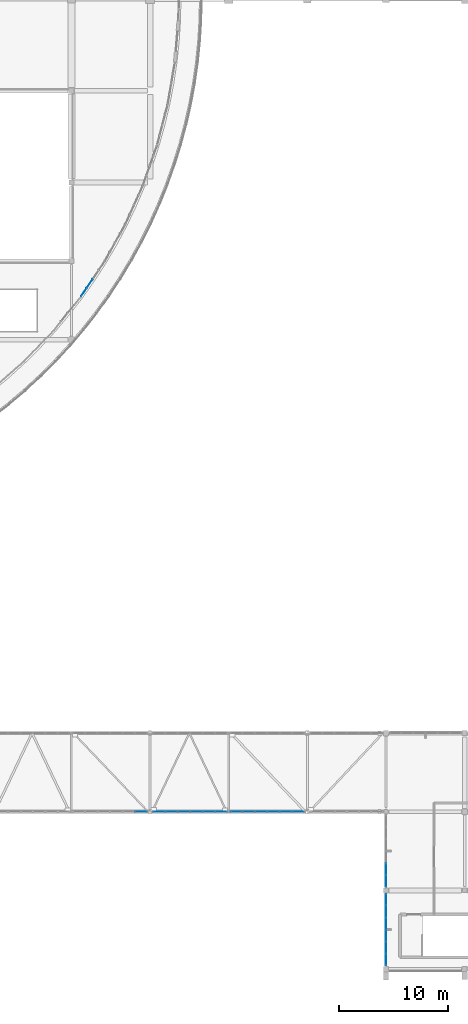
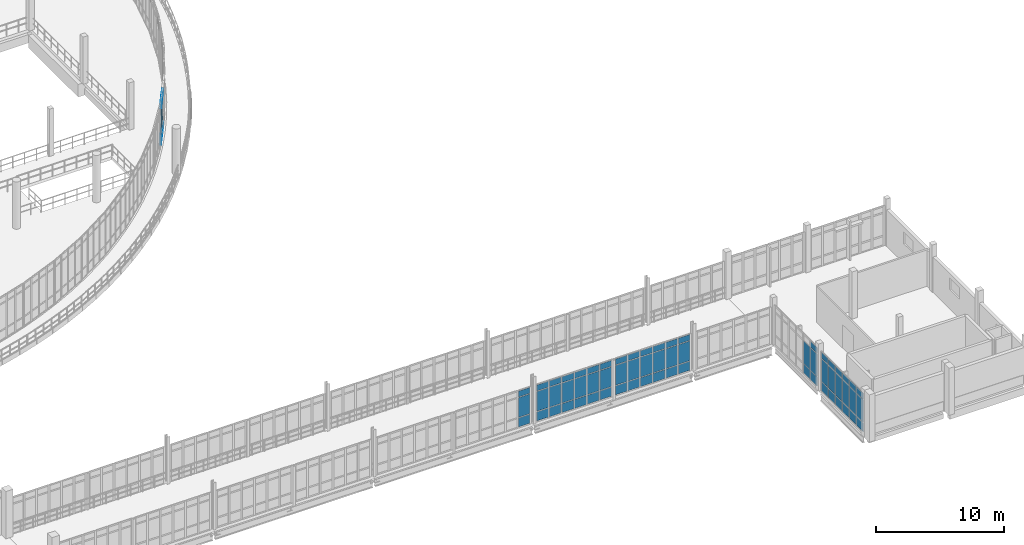
# One storey, part 90 of 116: 68 plates, 6 elements without a shape of their own.
"""IFC4 building model written with IfcOpenShell, lengths in metres."""

import ifcopenshell
import ifcopenshell.guid

model = None  # the IFC model being written
_history = None  # IfcOwnerHistory: only IFC2X3 demands one
_inside = {}  # id of a spatial element -> (the spatial element, [elements in it])
_under = {}  # id of a project, library or spatial element -> (it, [spatial elements below it])
_declared = {}  # id of a project -> (the project, [libraries it declares])
_typed = {}  # id of a type object -> (the type object, [elements of that type])
_made_of = {}  # id of a material, layer set ... -> (it, [elements and type objects made of it])


def new_model(schema):
    """Start an empty IFC model of exactly this schema.

    Asked for "IFC4X3", IfcOpenShell would pick the latest addendum, in which some entities
    have other attributes; the version numbers below select the first issue.
    IFC2X3 requires an IfcOwnerHistory on every rooted entity: one is made here for all.
    """
    global model, _history
    if schema == "IFC4X3":
        model = ifcopenshell.file(schema_version=(4, 3, 0, 0))
    else:
        model = ifcopenshell.file(schema=schema)
    _inside.clear()
    _under.clear()
    _declared.clear()
    _typed.clear()
    _made_of.clear()
    _history = None
    if model.schema == "IFC2X3":
        org = make("IfcOrganization", Name="unknown")
        user = make(
            "IfcPersonAndOrganization",
            ThePerson=make("IfcPerson", FamilyName="unknown"),
            TheOrganization=org,
        )
        app = make(
            "IfcApplication",
            ApplicationDeveloper=org,
            Version="unknown",
            ApplicationFullName="unknown",
            ApplicationIdentifier="unknown",
        )
        _history = make(
            "IfcOwnerHistory",
            OwningUser=user,
            OwningApplication=app,
            ChangeAction="ADDED",
            CreationDate=0,
        )
    return model


def make(cls, **values):
    """One entity of the class cls with the attributes given. An attribute that is None is left unset."""
    return model.create_entity(
        cls, **{name: value for name, value in values.items() if value is not None}
    )


def rooted(cls, **values):
    """An entity with a GlobalId (a new one), such as an element, a storey or a relation."""
    return make(cls, GlobalId=ifcopenshell.guid.new(), OwnerHistory=_history, **values)


def si_unit(unit_type, name, prefix=None):
    """IfcSIUnit, for example si_unit("LENGTHUNIT", "METRE", prefix="MILLI")."""
    return make("IfcSIUnit", UnitType=unit_type, Prefix=prefix, Name=name)


def assignment(units):
    """IfcUnitAssignment: the units of a project."""
    return None if units is None else make("IfcUnitAssignment", Units=units)


def point(xyz):
    """IfcCartesianPoint."""
    return None if xyz is None else make("IfcCartesianPoint", Coordinates=xyz)


def direction(xyz):
    """IfcDirection."""
    return None if xyz is None else make("IfcDirection", DirectionRatios=xyz)


def frame(location, z_axis=None, x_axis=None):
    """IfcAxis2Placement3D, a coordinate frame: its origin and axes. An axis left out is left unset."""
    return make(
        "IfcAxis2Placement3D",
        Location=point(location),
        Axis=direction(z_axis),
        RefDirection=direction(x_axis),
    )


def frame_2d(location, x_axis=None):
    """IfcAxis2Placement2D, a coordinate frame in the plane: its origin and x axis."""
    return make(
        "IfcAxis2Placement2D", Location=point(location), RefDirection=direction(x_axis)
    )


def origin():
    """The frame at (0, 0, 0) with its axes left unset."""
    return frame((0.0, 0.0, 0.0))


def origin_2d():
    """The frame at (0, 0) in the plane with its x axis left unset."""
    return frame_2d((0.0, 0.0))


def place(relative_to, where):
    """IfcLocalPlacement: puts the frame where relative to a parent placement (None: the world)."""
    return make(
        "IfcLocalPlacement", PlacementRelTo=relative_to, RelativePlacement=where
    )


def context(
    kind, dimensions, precision=None, world=None, true_north=None, identifier=None
):
    """IfcGeometricRepresentationContext, for example the 3D "Model" context."""
    return make(
        "IfcGeometricRepresentationContext",
        ContextIdentifier=identifier,
        ContextType=kind,
        CoordinateSpaceDimension=dimensions,
        Precision=precision,
        WorldCoordinateSystem=world,
        TrueNorth=true_north,
    )


def subcontext(parent, identifier, kind, view, scale=None):
    """IfcGeometricRepresentationSubContext, for example "Body" below "Model"."""
    return make(
        "IfcGeometricRepresentationSubContext",
        ContextIdentifier=identifier,
        ContextType=kind,
        ParentContext=parent,
        TargetScale=scale,
        TargetView=view,
    )


def project(units=None, contexts=None):
    """IfcProject with its units and contexts."""
    return rooted(
        "IfcProject",
        Name="project",
        RepresentationContexts=contexts,
        UnitsInContext=assignment(units),
    )


def spatial(cls, under=None, at=None, **own):
    """A site, building, storey or space (cls), placed at a placement, below another one or the project."""
    s = rooted(cls, ObjectPlacement=at, **own)
    if under is not None:
        _under.setdefault(under.id(), (under, []))[1].append(s)
    return s


def profile(cls, at=None, kind="AREA", **sizes):
    """A parametric profile (cls). Its sizes go by their IFC names, for example OverallWidth=200.0."""
    return make(cls, ProfileType=kind, Position=at, **sizes)


def rectangle(**sizes):
    """IfcRectangleProfileDef."""
    return profile("IfcRectangleProfileDef", **sizes)


def extrude(swept, where, along, depth):
    """IfcExtrudedAreaSolid: the profile swept, set in the frame where, extruded along a direction by depth."""
    return make(
        "IfcExtrudedAreaSolid",
        SweptArea=swept,
        Position=where,
        ExtrudedDirection=direction(along),
        Depth=depth,
    )


def shape(context_of_items, identifier, shape_type, items):
    """IfcShapeRepresentation: the items that make up one representation, for example the "Body"."""
    return make(
        "IfcShapeRepresentation",
        ContextOfItems=context_of_items,
        RepresentationIdentifier=identifier,
        RepresentationType=shape_type,
        Items=items,
    )


def material(Name=None, Category=None):
    """IfcMaterial."""
    return make("IfcMaterial", Name=Name, Category=Category)


def layer(
    of_material, thickness, ventilated=None, Name=None, Category=None, Priority=None
):
    """IfcMaterialLayer: one layer of a wall or slab, of a material (None: an air gap)."""
    return make(
        "IfcMaterialLayer",
        Material=of_material,
        LayerThickness=thickness,
        IsVentilated=ventilated,
        Name=Name,
        Category=Category,
        Priority=Priority,
    )


def layer_set(layers, Name=None):
    """IfcMaterialLayerSet."""
    return make("IfcMaterialLayerSet", MaterialLayers=layers, LayerSetName=Name)


def made_of(thing, what):
    """Note that an element or type object is made of a material, layer set ...; save() writes the relation."""
    if what is not None:
        _made_of.setdefault(what.id(), (what, []))[1].append(thing)
    return thing


def type_object(cls, material=None, **own):
    """A type object (cls), such as IfcWallType, which elements share."""
    return made_of(rooted(cls, **own), material)


def element(
    cls,
    number,
    at=None,
    inside=None,
    cuts=None,
    type_object=None,
    material=None,
    context=None,
    identifier="Body",
    shape_type=None,
    held_by="IfcProductDefinitionShape",
    body=None,
    shapes=None,
    **own,
):
    """One element of the class cls, such as IfcWall. Its Tag is "e" and its number.

    at: its placement. inside: the storey or other place that contains it. cuts: it is an
    opening in that element (IfcRelVoidsElement). A single representation is given by context,
    identifier, shape_type and body (its items); several are given by shapes. held_by: the class
    of the entity that holds the representations. save() writes the other relations.
    """
    e = rooted(cls, Tag="e%d" % number, ObjectPlacement=at, **own)
    if body is not None:
        shapes = [shape(context, identifier, shape_type, body)]
    if shapes is not None:
        e.Representation = make(held_by, Representations=shapes)
    if inside is not None:
        _inside.setdefault(inside.id(), (inside, []))[1].append(e)
    if cuts is not None:
        rooted(
            "IfcRelVoidsElement", RelatingBuildingElement=cuts, RelatedOpeningElement=e
        )
    if type_object is not None:
        _typed.setdefault(type_object.id(), (type_object, []))[1].append(e)
    return made_of(e, material)


def aggregate(whole, parts):
    """IfcRelAggregates: a whole, such as a stair, and the parts it consists of."""
    return rooted("IfcRelAggregates", RelatingObject=whole, RelatedObjects=parts)


def save(model, path):
    """Write the relations noted so far, then the file.

    IfcRelAggregates (storeys below a building ...), IfcRelContainedInSpatialStructure (elements
    in a storey), IfcRelDefinesByType, IfcRelAssociatesMaterial and IfcRelDeclares: one each for
    every whole, place, type object, material and project.
    """
    for whole, parts in _under.values():
        aggregate(whole, parts)
    for where, things in _inside.values():
        rooted(
            "IfcRelContainedInSpatialStructure",
            RelatedElements=things,
            RelatingStructure=where,
        )
    for kind, things in _typed.values():
        rooted("IfcRelDefinesByType", RelatedObjects=things, RelatingType=kind)
    for what, things in _made_of.values():
        rooted("IfcRelAssociatesMaterial", RelatedObjects=things, RelatingMaterial=what)
    for by, libraries in _declared.values():
        rooted("IfcRelDeclares", RelatingContext=by, RelatedDefinitions=libraries)
    model.write(path)


model = new_model("IFC4")

# Units and contexts
model_context = context("Model", 3, precision=1e-05, world=origin(), true_north=direction((0.0, 1.0)))
body_context = subcontext(model_context, "Body", "Model", "MODEL_VIEW")
ifc_project = project(units=[si_unit("LENGTHUNIT", "METRE"), si_unit("AREAUNIT", "SQUARE_METRE"), si_unit("VOLUMEUNIT", "CUBIC_METRE"), si_unit("PLANEANGLEUNIT", "RADIAN"), si_unit("MASSUNIT", "GRAM", prefix="KILO")], contexts=[model_context])

# Site, building, storey
site_placement = place(None, origin())
site = spatial("IfcSite", under=ifc_project, at=site_placement, CompositionType="ELEMENT")
building_placement = place(site_placement, origin())
building = spatial("IfcBuilding", under=site, at=building_placement, Name="Kalluvel Institute of Natural Sciences", CompositionType="ELEMENT")
storey_placement = place(building_placement, frame((0.0, 0.0, 14.39990234375)))
storey = spatial("IfcBuildingStorey", under=building, at=storey_placement, Name="L03", CompositionType="ELEMENT", Elevation=14.39990234375)

# Curtain wall, plates
ifc_material_1 = material(Name="Aluminium AW-6063 T6", Category="aluminium")
curtain_wall_type_1 = type_object("IfcCurtainWallType", Name="CW-SPAV-45", PredefinedType="USERDEFINED", material=ifc_material_1)
curtain_wall_1_placement = place(storey_placement, origin())
curtain_wall_1 = element("IfcCurtainWall", 1, at=curtain_wall_1_placement, inside=storey, type_object=curtain_wall_type_1, Name="L03 Gothic lancet curtain wall CWA-L03-X1004-Y143", ObjectType="UNITISED LANCET FACADE", PredefinedType="USERDEFINED")
ifc_material_2 = material(Name="Solar-Control Low-E Laminated Glass", Category="glass")
ifc_layer_1 = layer(ifc_material_2, 0.028076171875)
ifc_layer_set_1 = layer_set([ifc_layer_1], Name="Solar-Control Low-E Laminated Glass")
plate_type_1 = type_object("IfcPlateType", Name="CWP-DGU-28", PredefinedType="CURTAIN_PANEL", material=ifc_layer_set_1)
plate_1_placement = place(storey_placement, frame((100.39990234375, 14.868408203125, 0.065185546875), z_axis=(0.0, 0.0, 1.0), x_axis=(0.0, 1.0, 0.0)))
plate_1 = element("IfcPlate", 2, at=plate_1_placement, type_object=plate_type_1, Name="CW-10 panel 1.1", PredefinedType="CURTAIN_PANEL", context=body_context, shape_type="SweptSolid", body=[
    extrude(rectangle(XDim=1.006591796875, YDim=0.028076171875, at=origin_2d()), origin(), (0.0, 0.0, 1.0), 0.8525390625),
])
plate_2_placement = place(storey_placement, frame((100.39990234375, 14.868408203125, 0.982421875), z_axis=(0.0, 0.0, 1.0), x_axis=(0.0, 1.0, 0.0)))
plate_2 = element("IfcPlate", 3, at=plate_2_placement, type_object=plate_type_1, Name="CW-10 panel 1.2", PredefinedType="CURTAIN_PANEL", context=body_context, shape_type="SweptSolid", body=[
    extrude(rectangle(XDim=1.006591796875, YDim=0.028076171875, at=origin_2d()), origin(), (0.0, 0.0, 1.0), 2.135009765625),
])
plate_3_placement = place(storey_placement, frame((100.39990234375, 14.868408203125, 3.1826171875), z_axis=(0.0, 0.0, 1.0), x_axis=(0.0, 1.0, 0.0)))
plate_3 = element("IfcPlate", 4, at=plate_3_placement, type_object=plate_type_1, Name="CW-10 panel 1.3", PredefinedType="CURTAIN_PANEL", context=body_context, shape_type="SweptSolid", body=[
    extrude(rectangle(XDim=1.006591796875, YDim=0.028076171875, at=origin_2d()), origin(), (0.0, 0.0, 1.0), 0.552490234375),
])
plate_4_placement = place(storey_placement, frame((100.39990234375, 15.956298828125, 0.065185546875), z_axis=(0.0, 0.0, 1.0), x_axis=(0.0, 1.0, 0.0)))
plate_4 = element("IfcPlate", 5, at=plate_4_placement, type_object=plate_type_1, Name="CW-10 panel 2.1", PredefinedType="CURTAIN_PANEL", context=body_context, shape_type="SweptSolid", body=[
    extrude(rectangle(XDim=1.0390625, YDim=0.028076171875, at=origin_2d()), origin(), (0.0, 0.0, 1.0), 0.8525390625),
])
plate_5_placement = place(storey_placement, frame((100.39990234375, 15.956298828125, 0.982421875), z_axis=(0.0, 0.0, 1.0), x_axis=(0.0, 1.0, 0.0)))
plate_5 = element("IfcPlate", 6, at=plate_5_placement, type_object=plate_type_1, Name="CW-10 panel 2.2", PredefinedType="CURTAIN_PANEL", context=body_context, shape_type="SweptSolid", body=[
    extrude(rectangle(XDim=1.0390625, YDim=0.028076171875, at=origin_2d()), origin(), (0.0, 0.0, 1.0), 2.135009765625),
])
plate_6_placement = place(storey_placement, frame((100.39990234375, 15.956298828125, 3.1826171875), z_axis=(0.0, 0.0, 1.0), x_axis=(0.0, 1.0, 0.0)))
plate_6 = element("IfcPlate", 7, at=plate_6_placement, type_object=plate_type_1, Name="CW-10 panel 2.3", PredefinedType="CURTAIN_PANEL", context=body_context, shape_type="SweptSolid", body=[
    extrude(rectangle(XDim=1.0390625, YDim=0.028076171875, at=origin_2d()), origin(), (0.0, 0.0, 1.0), 0.552490234375),
])
plate_7_placement = place(storey_placement, frame((100.39990234375, 17.060302734375, 0.065185546875), z_axis=(0.0, 0.0, 1.0), x_axis=(0.0, 1.0, 0.0)))
plate_7 = element("IfcPlate", 8, at=plate_7_placement, type_object=plate_type_1, Name="CW-10 panel 3.1", PredefinedType="CURTAIN_PANEL", context=body_context, shape_type="SweptSolid", body=[
    extrude(rectangle(XDim=1.0390625, YDim=0.028076171875, at=origin_2d()), origin(), (0.0, 0.0, 1.0), 0.8525390625),
])
plate_8_placement = place(storey_placement, frame((100.39990234375, 17.060302734375, 0.982421875), z_axis=(0.0, 0.0, 1.0), x_axis=(0.0, 1.0, 0.0)))
plate_8 = element("IfcPlate", 9, at=plate_8_placement, type_object=plate_type_1, Name="CW-10 panel 3.2", PredefinedType="CURTAIN_PANEL", context=body_context, shape_type="SweptSolid", body=[
    extrude(rectangle(XDim=1.0390625, YDim=0.028076171875, at=origin_2d()), origin(), (0.0, 0.0, 1.0), 2.135009765625),
])
plate_9_placement = place(storey_placement, frame((100.39990234375, 17.060302734375, 3.1826171875), z_axis=(0.0, 0.0, 1.0), x_axis=(0.0, 1.0, 0.0)))
plate_9 = element("IfcPlate", 10, at=plate_9_placement, type_object=plate_type_1, Name="CW-10 panel 3.3", PredefinedType="CURTAIN_PANEL", context=body_context, shape_type="SweptSolid", body=[
    extrude(rectangle(XDim=1.0390625, YDim=0.028076171875, at=origin_2d()), origin(), (0.0, 0.0, 1.0), 0.552490234375),
])
plate_10_placement = place(storey_placement, frame((100.39990234375, 18.16455078125, 0.065185546875), z_axis=(0.0, 0.0, 1.0), x_axis=(0.0, 1.0, 0.0)))
plate_10 = element("IfcPlate", 11, at=plate_10_placement, type_object=plate_type_1, Name="CW-10 panel 4.1", PredefinedType="CURTAIN_PANEL", context=body_context, shape_type="SweptSolid", body=[
    extrude(rectangle(XDim=1.0390625, YDim=0.028076171875, at=origin_2d()), origin(), (0.0, 0.0, 1.0), 0.8525390625),
])
plate_11_placement = place(storey_placement, frame((100.39990234375, 18.16455078125, 0.982421875), z_axis=(0.0, 0.0, 1.0), x_axis=(0.0, 1.0, 0.0)))
plate_11 = element("IfcPlate", 12, at=plate_11_placement, type_object=plate_type_1, Name="CW-10 panel 4.2", PredefinedType="CURTAIN_PANEL", context=body_context, shape_type="SweptSolid", body=[
    extrude(rectangle(XDim=1.0390625, YDim=0.028076171875, at=origin_2d()), origin(), (0.0, 0.0, 1.0), 2.135009765625),
])
plate_12_placement = place(storey_placement, frame((100.39990234375, 18.16455078125, 3.1826171875), z_axis=(0.0, 0.0, 1.0), x_axis=(0.0, 1.0, 0.0)))
plate_12 = element("IfcPlate", 13, at=plate_12_placement, type_object=plate_type_1, Name="CW-10 panel 4.3", PredefinedType="CURTAIN_PANEL", context=body_context, shape_type="SweptSolid", body=[
    extrude(rectangle(XDim=1.0390625, YDim=0.028076171875, at=origin_2d()), origin(), (0.0, 0.0, 1.0), 0.552490234375),
])
plate_13_placement = place(storey_placement, frame((100.39990234375, 19.268798828125, 0.065185546875), z_axis=(0.0, 0.0, 1.0), x_axis=(0.0, 1.0, 0.0)))
plate_13 = element("IfcPlate", 14, at=plate_13_placement, type_object=plate_type_1, Name="CW-10 panel 5.1", PredefinedType="CURTAIN_PANEL", context=body_context, shape_type="SweptSolid", body=[
    extrude(rectangle(XDim=1.0390625, YDim=0.028076171875, at=origin_2d()), origin(), (0.0, 0.0, 1.0), 0.8525390625),
])
plate_14_placement = place(storey_placement, frame((100.39990234375, 19.268798828125, 0.982421875), z_axis=(0.0, 0.0, 1.0), x_axis=(0.0, 1.0, 0.0)))
plate_14 = element("IfcPlate", 15, at=plate_14_placement, type_object=plate_type_1, Name="CW-10 panel 5.2", PredefinedType="CURTAIN_PANEL", context=body_context, shape_type="SweptSolid", body=[
    extrude(rectangle(XDim=1.0390625, YDim=0.028076171875, at=origin_2d()), origin(), (0.0, 0.0, 1.0), 2.135009765625),
])
plate_15_placement = place(storey_placement, frame((100.39990234375, 19.268798828125, 3.1826171875), z_axis=(0.0, 0.0, 1.0), x_axis=(0.0, 1.0, 0.0)))
plate_15 = element("IfcPlate", 16, at=plate_15_placement, type_object=plate_type_1, Name="CW-10 panel 5.3", PredefinedType="CURTAIN_PANEL", context=body_context, shape_type="SweptSolid", body=[
    extrude(rectangle(XDim=1.0390625, YDim=0.028076171875, at=origin_2d()), origin(), (0.0, 0.0, 1.0), 0.552490234375),
])
plate_16_placement = place(storey_placement, frame((100.39990234375, 20.356689453125, 0.065185546875), z_axis=(0.0, 0.0, 1.0), x_axis=(0.0, 1.0, 0.0)))
plate_16 = element("IfcPlate", 17, at=plate_16_placement, type_object=plate_type_1, Name="CW-10 panel 6.1", PredefinedType="CURTAIN_PANEL", context=body_context, shape_type="SweptSolid", body=[
    extrude(rectangle(XDim=1.006591796875, YDim=0.028076171875, at=origin_2d()), origin(), (0.0, 0.0, 1.0), 0.8525390625),
])
plate_17_placement = place(storey_placement, frame((100.39990234375, 20.356689453125, 0.982421875), z_axis=(0.0, 0.0, 1.0), x_axis=(0.0, 1.0, 0.0)))
plate_17 = element("IfcPlate", 18, at=plate_17_placement, type_object=plate_type_1, Name="CW-10 panel 6.2", PredefinedType="CURTAIN_PANEL", context=body_context, shape_type="SweptSolid", body=[
    extrude(rectangle(XDim=1.006591796875, YDim=0.028076171875, at=origin_2d()), origin(), (0.0, 0.0, 1.0), 2.135009765625),
])
plate_18_placement = place(storey_placement, frame((100.39990234375, 20.356689453125, 3.1826171875), z_axis=(0.0, 0.0, 1.0), x_axis=(0.0, 1.0, 0.0)))
plate_18 = element("IfcPlate", 19, at=plate_18_placement, type_object=plate_type_1, Name="CW-10 panel 6.3", PredefinedType="CURTAIN_PANEL", context=body_context, shape_type="SweptSolid", body=[
    extrude(rectangle(XDim=1.006591796875, YDim=0.028076171875, at=origin_2d()), origin(), (0.0, 0.0, 1.0), 0.552490234375),
])
aggregate(curtain_wall_1, [plate_1, plate_2, plate_3, plate_4, plate_5, plate_6, plate_7, plate_8, plate_9, plate_10, plate_11, plate_12, plate_13, plate_14, plate_15, plate_16, plate_17, plate_18])

curtain_wall_2_placement = place(storey_placement, origin())
curtain_wall_2 = element("IfcCurtainWall", 20, at=curtain_wall_2_placement, inside=storey, type_object=curtain_wall_type_1, Name="L03 Gothic lancet curtain wall CWA-L03-X1004-Y215", ObjectType="UNITISED LANCET FACADE", PredefinedType="USERDEFINED")
plate_19_placement = place(storey_placement, frame((100.39990234375, 22.047607421875, 0.065185546875), z_axis=(0.0, 0.0, 1.0), x_axis=(0.0, 1.0, 0.0)))
plate_19 = element("IfcPlate", 21, at=plate_19_placement, type_object=plate_type_1, Name="CW-10 panel 1.1", PredefinedType="CURTAIN_PANEL", context=body_context, shape_type="SweptSolid", body=[
    extrude(rectangle(XDim=1.014892578125, YDim=0.028076171875, at=origin_2d()), origin(), (0.0, 0.0, 1.0), 0.8525390625),
])
plate_20_placement = place(storey_placement, frame((100.39990234375, 22.047607421875, 0.982421875), z_axis=(0.0, 0.0, 1.0), x_axis=(0.0, 1.0, 0.0)))
plate_20 = element("IfcPlate", 22, at=plate_20_placement, type_object=plate_type_1, Name="CW-10 panel 1.2", PredefinedType="CURTAIN_PANEL", context=body_context, shape_type="SweptSolid", body=[
    extrude(rectangle(XDim=1.014892578125, YDim=0.028076171875, at=origin_2d()), origin(), (0.0, 0.0, 1.0), 2.135009765625),
])
plate_21_placement = place(storey_placement, frame((100.39990234375, 22.047607421875, 3.1826171875), z_axis=(0.0, 0.0, 1.0), x_axis=(0.0, 1.0, 0.0)))
plate_21 = element("IfcPlate", 23, at=plate_21_placement, type_object=plate_type_1, Name="CW-10 panel 1.3", PredefinedType="CURTAIN_PANEL", context=body_context, shape_type="SweptSolid", body=[
    extrude(rectangle(XDim=1.014892578125, YDim=0.028076171875, at=origin_2d()), origin(), (0.0, 0.0, 1.0), 0.552490234375),
])
plate_22_placement = place(storey_placement, frame((100.39990234375, 23.143798828125, 0.065185546875), z_axis=(0.0, 0.0, 1.0), x_axis=(0.0, 1.0, 0.0)))
plate_22 = element("IfcPlate", 24, at=plate_22_placement, type_object=plate_type_1, Name="CW-10 panel 2.1", PredefinedType="CURTAIN_PANEL", context=body_context, shape_type="SweptSolid", body=[
    extrude(rectangle(XDim=1.047607421875, YDim=0.028076171875, at=origin_2d()), origin(), (0.0, 0.0, 1.0), 0.8525390625),
])
plate_23_placement = place(storey_placement, frame((100.39990234375, 23.143798828125, 0.982421875), z_axis=(0.0, 0.0, 1.0), x_axis=(0.0, 1.0, 0.0)))
plate_23 = element("IfcPlate", 25, at=plate_23_placement, type_object=plate_type_1, Name="CW-10 panel 2.2", PredefinedType="CURTAIN_PANEL", context=body_context, shape_type="SweptSolid", body=[
    extrude(rectangle(XDim=1.047607421875, YDim=0.028076171875, at=origin_2d()), origin(), (0.0, 0.0, 1.0), 2.135009765625),
])
aggregate(curtain_wall_2, [plate_19, plate_20, plate_21, plate_22, plate_23])

curtain_wall_type_2 = type_object("IfcCurtainWallType", Name="CW-BRG-45", PredefinedType="USERDEFINED", material=ifc_material_1)
curtain_wall_3_placement = place(storey_placement, origin())
curtain_wall_3 = element("IfcCurtainWall", 26, at=curtain_wall_3_placement, inside=storey, type_object=curtain_wall_type_2, Name="L03 Gothic lancet curtain wall CWA-L03-X717-Y284", ObjectType="UNITISED LANCET FACADE", PredefinedType="USERDEFINED")
ifc_layer_2 = layer(ifc_material_2, 0.031982421875)
ifc_layer_set_2 = layer_set([ifc_layer_2], Name="Solar-Control Low-E Laminated Glass")
plate_type_2 = type_object("IfcPlateType", Name="CWP-DGU-32", PredefinedType="CURTAIN_PANEL", material=ifc_layer_set_2)
plate_24_placement = place(storey_placement, frame((77.965087890625, 28.39990234375, 0.06005859375), z_axis=(0.0, 0.0, 1.0), x_axis=(1.0, 0.0, 0.0)))
plate_24 = element("IfcPlate", 27, at=plate_24_placement, type_object=plate_type_2, Name="CW-07 panel 6.1", PredefinedType="CURTAIN_PANEL", context=body_context, shape_type="SweptSolid", body=[
    extrude(rectangle(XDim=1.050048828125, YDim=0.031982421875, at=origin_2d()), origin(), (0.0, 0.0, 1.0), 0.860107421875),
])
plate_25_placement = place(storey_placement, frame((77.965087890625, 28.39990234375, 0.980224609375), z_axis=(0.0, 0.0, 1.0), x_axis=(1.0, 0.0, 0.0)))
plate_25 = element("IfcPlate", 28, at=plate_25_placement, type_object=plate_type_2, Name="CW-07 panel 6.2", PredefinedType="CURTAIN_PANEL", context=body_context, shape_type="SweptSolid", body=[
    extrude(rectangle(XDim=1.050048828125, YDim=0.031982421875, at=origin_2d()), origin(), (0.0, 0.0, 1.0), 1.8798828125),
])
plate_26_placement = place(storey_placement, frame((77.965087890625, 28.39990234375, 2.920166015625), z_axis=(0.0, 0.0, 1.0), x_axis=(1.0, 0.0, 0.0)))
plate_26 = element("IfcPlate", 29, at=plate_26_placement, type_object=plate_type_2, Name="CW-07 panel 6.3", PredefinedType="CURTAIN_PANEL", context=body_context, shape_type="SweptSolid", body=[
    extrude(rectangle(XDim=1.050048828125, YDim=0.031982421875, at=origin_2d()), origin(), (0.0, 0.0, 1.0), 0.56005859375),
])
aggregate(curtain_wall_3, [plate_24, plate_25, plate_26])

curtain_wall_4_placement = place(storey_placement, origin())
curtain_wall_4 = element("IfcCurtainWall", 30, at=curtain_wall_4_placement, inside=storey, type_object=curtain_wall_type_2, Name="L03 Gothic lancet curtain wall CWA-L03-X790-Y284", ObjectType="UNITISED LANCET FACADE", PredefinedType="USERDEFINED")
plate_27_placement = place(storey_placement, frame((79.635009765625, 28.39990234375, 0.06005859375), z_axis=(0.0, 0.0, 1.0), x_axis=(1.0, 0.0, 0.0)))
plate_27 = element("IfcPlate", 31, at=plate_27_placement, type_object=plate_type_2, Name="CW-07 panel 1.1", PredefinedType="CURTAIN_PANEL", context=body_context, shape_type="SweptSolid", body=[
    extrude(rectangle(XDim=1.050048828125, YDim=0.031982421875, at=origin_2d()), origin(), (0.0, 0.0, 1.0), 0.860107421875),
])
plate_28_placement = place(storey_placement, frame((79.635009765625, 28.39990234375, 0.980224609375), z_axis=(0.0, 0.0, 1.0), x_axis=(1.0, 0.0, 0.0)))
plate_28 = element("IfcPlate", 32, at=plate_28_placement, type_object=plate_type_2, Name="CW-07 panel 1.2", PredefinedType="CURTAIN_PANEL", context=body_context, shape_type="SweptSolid", body=[
    extrude(rectangle(XDim=1.050048828125, YDim=0.031982421875, at=origin_2d()), origin(), (0.0, 0.0, 1.0), 1.8798828125),
])
plate_29_placement = place(storey_placement, frame((79.635009765625, 28.39990234375, 2.920166015625), z_axis=(0.0, 0.0, 1.0), x_axis=(1.0, 0.0, 0.0)))
plate_29 = element("IfcPlate", 33, at=plate_29_placement, type_object=plate_type_2, Name="CW-07 panel 1.3", PredefinedType="CURTAIN_PANEL", context=body_context, shape_type="SweptSolid", body=[
    extrude(rectangle(XDim=1.050048828125, YDim=0.031982421875, at=origin_2d()), origin(), (0.0, 0.0, 1.0), 0.56005859375),
])
plate_30_placement = place(storey_placement, frame((80.760009765625, 28.39990234375, 0.06005859375), z_axis=(0.0, 0.0, 1.0), x_axis=(1.0, 0.0, 0.0)))
plate_30 = element("IfcPlate", 34, at=plate_30_placement, type_object=plate_type_2, Name="CW-07 panel 2.1", PredefinedType="CURTAIN_PANEL", context=body_context, shape_type="SweptSolid", body=[
    extrude(rectangle(XDim=1.080078125, YDim=0.031982421875, at=origin_2d()), origin(), (0.0, 0.0, 1.0), 0.860107421875),
])
plate_31_placement = place(storey_placement, frame((80.760009765625, 28.39990234375, 0.980224609375), z_axis=(0.0, 0.0, 1.0), x_axis=(1.0, 0.0, 0.0)))
plate_31 = element("IfcPlate", 35, at=plate_31_placement, type_object=plate_type_2, Name="CW-07 panel 2.2", PredefinedType="CURTAIN_PANEL", context=body_context, shape_type="SweptSolid", body=[
    extrude(rectangle(XDim=1.080078125, YDim=0.031982421875, at=origin_2d()), origin(), (0.0, 0.0, 1.0), 1.8798828125),
])
plate_32_placement = place(storey_placement, frame((80.760009765625, 28.39990234375, 2.920166015625), z_axis=(0.0, 0.0, 1.0), x_axis=(1.0, 0.0, 0.0)))
plate_32 = element("IfcPlate", 36, at=plate_32_placement, type_object=plate_type_2, Name="CW-07 panel 2.3", PredefinedType="CURTAIN_PANEL", context=body_context, shape_type="SweptSolid", body=[
    extrude(rectangle(XDim=1.080078125, YDim=0.031982421875, at=origin_2d()), origin(), (0.0, 0.0, 1.0), 0.56005859375),
])
plate_33_placement = place(storey_placement, frame((81.89990234375, 28.39990234375, 0.06005859375), z_axis=(0.0, 0.0, 1.0), x_axis=(1.0, 0.0, 0.0)))
plate_33 = element("IfcPlate", 37, at=plate_33_placement, type_object=plate_type_2, Name="CW-07 panel 3.1", PredefinedType="CURTAIN_PANEL", context=body_context, shape_type="SweptSolid", body=[
    extrude(rectangle(XDim=1.080078125, YDim=0.031982421875, at=origin_2d()), origin(), (0.0, 0.0, 1.0), 0.860107421875),
])
plate_34_placement = place(storey_placement, frame((81.89990234375, 28.39990234375, 0.980224609375), z_axis=(0.0, 0.0, 1.0), x_axis=(1.0, 0.0, 0.0)))
plate_34 = element("IfcPlate", 38, at=plate_34_placement, type_object=plate_type_2, Name="CW-07 panel 3.2", PredefinedType="CURTAIN_PANEL", context=body_context, shape_type="SweptSolid", body=[
    extrude(rectangle(XDim=1.080078125, YDim=0.031982421875, at=origin_2d()), origin(), (0.0, 0.0, 1.0), 1.8798828125),
])
plate_35_placement = place(storey_placement, frame((81.89990234375, 28.39990234375, 2.920166015625), z_axis=(0.0, 0.0, 1.0), x_axis=(1.0, 0.0, 0.0)))
plate_35 = element("IfcPlate", 39, at=plate_35_placement, type_object=plate_type_2, Name="CW-07 panel 3.3", PredefinedType="CURTAIN_PANEL", context=body_context, shape_type="SweptSolid", body=[
    extrude(rectangle(XDim=1.080078125, YDim=0.031982421875, at=origin_2d()), origin(), (0.0, 0.0, 1.0), 0.56005859375),
])
plate_36_placement = place(storey_placement, frame((83.0400390625, 28.39990234375, 0.06005859375), z_axis=(0.0, 0.0, 1.0), x_axis=(1.0, 0.0, 0.0)))
plate_36 = element("IfcPlate", 40, at=plate_36_placement, type_object=plate_type_2, Name="CW-07 panel 4.1", PredefinedType="CURTAIN_PANEL", context=body_context, shape_type="SweptSolid", body=[
    extrude(rectangle(XDim=1.080078125, YDim=0.031982421875, at=origin_2d()), origin(), (0.0, 0.0, 1.0), 0.860107421875),
])
plate_37_placement = place(storey_placement, frame((83.0400390625, 28.39990234375, 0.980224609375), z_axis=(0.0, 0.0, 1.0), x_axis=(1.0, 0.0, 0.0)))
plate_37 = element("IfcPlate", 41, at=plate_37_placement, type_object=plate_type_2, Name="CW-07 panel 4.2", PredefinedType="CURTAIN_PANEL", context=body_context, shape_type="SweptSolid", body=[
    extrude(rectangle(XDim=1.080078125, YDim=0.031982421875, at=origin_2d()), origin(), (0.0, 0.0, 1.0), 1.8798828125),
])
plate_38_placement = place(storey_placement, frame((83.0400390625, 28.39990234375, 2.920166015625), z_axis=(0.0, 0.0, 1.0), x_axis=(1.0, 0.0, 0.0)))
plate_38 = element("IfcPlate", 42, at=plate_38_placement, type_object=plate_type_2, Name="CW-07 panel 4.3", PredefinedType="CURTAIN_PANEL", context=body_context, shape_type="SweptSolid", body=[
    extrude(rectangle(XDim=1.080078125, YDim=0.031982421875, at=origin_2d()), origin(), (0.0, 0.0, 1.0), 0.56005859375),
])
plate_39_placement = place(storey_placement, frame((84.179931640625, 28.39990234375, 0.06005859375), z_axis=(0.0, 0.0, 1.0), x_axis=(1.0, 0.0, 0.0)))
plate_39 = element("IfcPlate", 43, at=plate_39_placement, type_object=plate_type_2, Name="CW-07 panel 5.1", PredefinedType="CURTAIN_PANEL", context=body_context, shape_type="SweptSolid", body=[
    extrude(rectangle(XDim=1.080078125, YDim=0.031982421875, at=origin_2d()), origin(), (0.0, 0.0, 1.0), 0.860107421875),
])
plate_40_placement = place(storey_placement, frame((84.179931640625, 28.39990234375, 0.980224609375), z_axis=(0.0, 0.0, 1.0), x_axis=(1.0, 0.0, 0.0)))
plate_40 = element("IfcPlate", 44, at=plate_40_placement, type_object=plate_type_2, Name="CW-07 panel 5.2", PredefinedType="CURTAIN_PANEL", context=body_context, shape_type="SweptSolid", body=[
    extrude(rectangle(XDim=1.080078125, YDim=0.031982421875, at=origin_2d()), origin(), (0.0, 0.0, 1.0), 1.8798828125),
])
plate_41_placement = place(storey_placement, frame((84.179931640625, 28.39990234375, 2.920166015625), z_axis=(0.0, 0.0, 1.0), x_axis=(1.0, 0.0, 0.0)))
plate_41 = element("IfcPlate", 45, at=plate_41_placement, type_object=plate_type_2, Name="CW-07 panel 5.3", PredefinedType="CURTAIN_PANEL", context=body_context, shape_type="SweptSolid", body=[
    extrude(rectangle(XDim=1.080078125, YDim=0.031982421875, at=origin_2d()), origin(), (0.0, 0.0, 1.0), 0.56005859375),
])
plate_42_placement = place(storey_placement, frame((85.304931640625, 28.39990234375, 0.06005859375), z_axis=(0.0, 0.0, 1.0), x_axis=(1.0, 0.0, 0.0)))
plate_42 = element("IfcPlate", 46, at=plate_42_placement, type_object=plate_type_2, Name="CW-07 panel 6.1", PredefinedType="CURTAIN_PANEL", context=body_context, shape_type="SweptSolid", body=[
    extrude(rectangle(XDim=1.050048828125, YDim=0.031982421875, at=origin_2d()), origin(), (0.0, 0.0, 1.0), 0.860107421875),
])
plate_43_placement = place(storey_placement, frame((85.304931640625, 28.39990234375, 0.980224609375), z_axis=(0.0, 0.0, 1.0), x_axis=(1.0, 0.0, 0.0)))
plate_43 = element("IfcPlate", 47, at=plate_43_placement, type_object=plate_type_2, Name="CW-07 panel 6.2", PredefinedType="CURTAIN_PANEL", context=body_context, shape_type="SweptSolid", body=[
    extrude(rectangle(XDim=1.050048828125, YDim=0.031982421875, at=origin_2d()), origin(), (0.0, 0.0, 1.0), 1.8798828125),
])
plate_44_placement = place(storey_placement, frame((85.304931640625, 28.39990234375, 2.920166015625), z_axis=(0.0, 0.0, 1.0), x_axis=(1.0, 0.0, 0.0)))
plate_44 = element("IfcPlate", 48, at=plate_44_placement, type_object=plate_type_2, Name="CW-07 panel 6.3", PredefinedType="CURTAIN_PANEL", context=body_context, shape_type="SweptSolid", body=[
    extrude(rectangle(XDim=1.050048828125, YDim=0.031982421875, at=origin_2d()), origin(), (0.0, 0.0, 1.0), 0.56005859375),
])
aggregate(curtain_wall_4, [plate_27, plate_28, plate_29, plate_30, plate_31, plate_32, plate_33, plate_34, plate_35, plate_36, plate_37, plate_38, plate_39, plate_40, plate_41, plate_42, plate_43, plate_44])

curtain_wall_5_placement = place(storey_placement, origin())
curtain_wall_5 = element("IfcCurtainWall", 49, at=curtain_wall_5_placement, inside=storey, type_object=curtain_wall_type_2, Name="L03 Gothic lancet curtain wall CWA-L03-X861-Y284", ObjectType="UNITISED LANCET FACADE", PredefinedType="USERDEFINED")
plate_45_placement = place(storey_placement, frame((86.695068359375, 28.39990234375, 0.06005859375), z_axis=(0.0, 0.0, 1.0), x_axis=(1.0, 0.0, 0.0)))
plate_45 = element("IfcPlate", 50, at=plate_45_placement, type_object=plate_type_2, Name="CW-07 panel 1.1", PredefinedType="CURTAIN_PANEL", context=body_context, shape_type="SweptSolid", body=[
    extrude(rectangle(XDim=1.050048828125, YDim=0.031982421875, at=origin_2d()), origin(), (0.0, 0.0, 1.0), 0.860107421875),
])
plate_46_placement = place(storey_placement, frame((86.695068359375, 28.39990234375, 0.980224609375), z_axis=(0.0, 0.0, 1.0), x_axis=(1.0, 0.0, 0.0)))
plate_46 = element("IfcPlate", 51, at=plate_46_placement, type_object=plate_type_2, Name="CW-07 panel 1.2", PredefinedType="CURTAIN_PANEL", context=body_context, shape_type="SweptSolid", body=[
    extrude(rectangle(XDim=1.050048828125, YDim=0.031982421875, at=origin_2d()), origin(), (0.0, 0.0, 1.0), 1.8798828125),
])
plate_47_placement = place(storey_placement, frame((86.695068359375, 28.39990234375, 2.920166015625), z_axis=(0.0, 0.0, 1.0), x_axis=(1.0, 0.0, 0.0)))
plate_47 = element("IfcPlate", 52, at=plate_47_placement, type_object=plate_type_2, Name="CW-07 panel 1.3", PredefinedType="CURTAIN_PANEL", context=body_context, shape_type="SweptSolid", body=[
    extrude(rectangle(XDim=1.050048828125, YDim=0.031982421875, at=origin_2d()), origin(), (0.0, 0.0, 1.0), 0.56005859375),
])
plate_48_placement = place(storey_placement, frame((87.820068359375, 28.39990234375, 0.06005859375), z_axis=(0.0, 0.0, 1.0), x_axis=(1.0, 0.0, 0.0)))
plate_48 = element("IfcPlate", 53, at=plate_48_placement, type_object=plate_type_2, Name="CW-07 panel 2.1", PredefinedType="CURTAIN_PANEL", context=body_context, shape_type="SweptSolid", body=[
    extrude(rectangle(XDim=1.080078125, YDim=0.031982421875, at=origin_2d()), origin(), (0.0, 0.0, 1.0), 0.860107421875),
])
plate_49_placement = place(storey_placement, frame((87.820068359375, 28.39990234375, 0.980224609375), z_axis=(0.0, 0.0, 1.0), x_axis=(1.0, 0.0, 0.0)))
plate_49 = element("IfcPlate", 54, at=plate_49_placement, type_object=plate_type_2, Name="CW-07 panel 2.2", PredefinedType="CURTAIN_PANEL", context=body_context, shape_type="SweptSolid", body=[
    extrude(rectangle(XDim=1.080078125, YDim=0.031982421875, at=origin_2d()), origin(), (0.0, 0.0, 1.0), 1.8798828125),
])
plate_50_placement = place(storey_placement, frame((87.820068359375, 28.39990234375, 2.920166015625), z_axis=(0.0, 0.0, 1.0), x_axis=(1.0, 0.0, 0.0)))
plate_50 = element("IfcPlate", 55, at=plate_50_placement, type_object=plate_type_2, Name="CW-07 panel 2.3", PredefinedType="CURTAIN_PANEL", context=body_context, shape_type="SweptSolid", body=[
    extrude(rectangle(XDim=1.080078125, YDim=0.031982421875, at=origin_2d()), origin(), (0.0, 0.0, 1.0), 0.56005859375),
])
plate_51_placement = place(storey_placement, frame((88.9599609375, 28.39990234375, 0.06005859375), z_axis=(0.0, 0.0, 1.0), x_axis=(1.0, 0.0, 0.0)))
plate_51 = element("IfcPlate", 56, at=plate_51_placement, type_object=plate_type_2, Name="CW-07 panel 3.1", PredefinedType="CURTAIN_PANEL", context=body_context, shape_type="SweptSolid", body=[
    extrude(rectangle(XDim=1.080078125, YDim=0.031982421875, at=origin_2d()), origin(), (0.0, 0.0, 1.0), 0.860107421875),
])
plate_52_placement = place(storey_placement, frame((88.9599609375, 28.39990234375, 0.980224609375), z_axis=(0.0, 0.0, 1.0), x_axis=(1.0, 0.0, 0.0)))
plate_52 = element("IfcPlate", 57, at=plate_52_placement, type_object=plate_type_2, Name="CW-07 panel 3.2", PredefinedType="CURTAIN_PANEL", context=body_context, shape_type="SweptSolid", body=[
    extrude(rectangle(XDim=1.080078125, YDim=0.031982421875, at=origin_2d()), origin(), (0.0, 0.0, 1.0), 1.8798828125),
])
plate_53_placement = place(storey_placement, frame((88.9599609375, 28.39990234375, 2.920166015625), z_axis=(0.0, 0.0, 1.0), x_axis=(1.0, 0.0, 0.0)))
plate_53 = element("IfcPlate", 58, at=plate_53_placement, type_object=plate_type_2, Name="CW-07 panel 3.3", PredefinedType="CURTAIN_PANEL", context=body_context, shape_type="SweptSolid", body=[
    extrude(rectangle(XDim=1.080078125, YDim=0.031982421875, at=origin_2d()), origin(), (0.0, 0.0, 1.0), 0.56005859375),
])
plate_54_placement = place(storey_placement, frame((90.10009765625, 28.39990234375, 0.06005859375), z_axis=(0.0, 0.0, 1.0), x_axis=(1.0, 0.0, 0.0)))
plate_54 = element("IfcPlate", 59, at=plate_54_placement, type_object=plate_type_2, Name="CW-07 panel 4.1", PredefinedType="CURTAIN_PANEL", context=body_context, shape_type="SweptSolid", body=[
    extrude(rectangle(XDim=1.080078125, YDim=0.031982421875, at=origin_2d()), origin(), (0.0, 0.0, 1.0), 0.860107421875),
])
plate_55_placement = place(storey_placement, frame((90.10009765625, 28.39990234375, 0.980224609375), z_axis=(0.0, 0.0, 1.0), x_axis=(1.0, 0.0, 0.0)))
plate_55 = element("IfcPlate", 60, at=plate_55_placement, type_object=plate_type_2, Name="CW-07 panel 4.2", PredefinedType="CURTAIN_PANEL", context=body_context, shape_type="SweptSolid", body=[
    extrude(rectangle(XDim=1.080078125, YDim=0.031982421875, at=origin_2d()), origin(), (0.0, 0.0, 1.0), 1.8798828125),
])
plate_56_placement = place(storey_placement, frame((90.10009765625, 28.39990234375, 2.920166015625), z_axis=(0.0, 0.0, 1.0), x_axis=(1.0, 0.0, 0.0)))
plate_56 = element("IfcPlate", 61, at=plate_56_placement, type_object=plate_type_2, Name="CW-07 panel 4.3", PredefinedType="CURTAIN_PANEL", context=body_context, shape_type="SweptSolid", body=[
    extrude(rectangle(XDim=1.080078125, YDim=0.031982421875, at=origin_2d()), origin(), (0.0, 0.0, 1.0), 0.56005859375),
])
plate_57_placement = place(storey_placement, frame((91.239990234375, 28.39990234375, 0.06005859375), z_axis=(0.0, 0.0, 1.0), x_axis=(1.0, 0.0, 0.0)))
plate_57 = element("IfcPlate", 62, at=plate_57_placement, type_object=plate_type_2, Name="CW-07 panel 5.1", PredefinedType="CURTAIN_PANEL", context=body_context, shape_type="SweptSolid", body=[
    extrude(rectangle(XDim=1.080078125, YDim=0.031982421875, at=origin_2d()), origin(), (0.0, 0.0, 1.0), 0.860107421875),
])
plate_58_placement = place(storey_placement, frame((91.239990234375, 28.39990234375, 0.980224609375), z_axis=(0.0, 0.0, 1.0), x_axis=(1.0, 0.0, 0.0)))
plate_58 = element("IfcPlate", 63, at=plate_58_placement, type_object=plate_type_2, Name="CW-07 panel 5.2", PredefinedType="CURTAIN_PANEL", context=body_context, shape_type="SweptSolid", body=[
    extrude(rectangle(XDim=1.080078125, YDim=0.031982421875, at=origin_2d()), origin(), (0.0, 0.0, 1.0), 1.8798828125),
])
plate_59_placement = place(storey_placement, frame((91.239990234375, 28.39990234375, 2.920166015625), z_axis=(0.0, 0.0, 1.0), x_axis=(1.0, 0.0, 0.0)))
plate_59 = element("IfcPlate", 64, at=plate_59_placement, type_object=plate_type_2, Name="CW-07 panel 5.3", PredefinedType="CURTAIN_PANEL", context=body_context, shape_type="SweptSolid", body=[
    extrude(rectangle(XDim=1.080078125, YDim=0.031982421875, at=origin_2d()), origin(), (0.0, 0.0, 1.0), 0.56005859375),
])
plate_60_placement = place(storey_placement, frame((92.364990234375, 28.39990234375, 0.06005859375), z_axis=(0.0, 0.0, 1.0), x_axis=(1.0, 0.0, 0.0)))
plate_60 = element("IfcPlate", 65, at=plate_60_placement, type_object=plate_type_2, Name="CW-07 panel 6.1", PredefinedType="CURTAIN_PANEL", context=body_context, shape_type="SweptSolid", body=[
    extrude(rectangle(XDim=1.050048828125, YDim=0.031982421875, at=origin_2d()), origin(), (0.0, 0.0, 1.0), 0.860107421875),
])
plate_61_placement = place(storey_placement, frame((92.364990234375, 28.39990234375, 0.980224609375), z_axis=(0.0, 0.0, 1.0), x_axis=(1.0, 0.0, 0.0)))
plate_61 = element("IfcPlate", 66, at=plate_61_placement, type_object=plate_type_2, Name="CW-07 panel 6.2", PredefinedType="CURTAIN_PANEL", context=body_context, shape_type="SweptSolid", body=[
    extrude(rectangle(XDim=1.050048828125, YDim=0.031982421875, at=origin_2d()), origin(), (0.0, 0.0, 1.0), 1.8798828125),
])
plate_62_placement = place(storey_placement, frame((92.364990234375, 28.39990234375, 2.920166015625), z_axis=(0.0, 0.0, 1.0), x_axis=(1.0, 0.0, 0.0)))
plate_62 = element("IfcPlate", 67, at=plate_62_placement, type_object=plate_type_2, Name="CW-07 panel 6.3", PredefinedType="CURTAIN_PANEL", context=body_context, shape_type="SweptSolid", body=[
    extrude(rectangle(XDim=1.050048828125, YDim=0.031982421875, at=origin_2d()), origin(), (0.0, 0.0, 1.0), 0.56005859375),
])
aggregate(curtain_wall_5, [plate_45, plate_46, plate_47, plate_48, plate_49, plate_50, plate_51, plate_52, plate_53, plate_54, plate_55, plate_56, plate_57, plate_58, plate_59, plate_60, plate_61, plate_62])

curtain_wall_type_3 = type_object("IfcCurtainWallType", Name="CW-ATR-ARC", PredefinedType="USERDEFINED", material=ifc_material_1)
curtain_wall_6_placement = place(storey_placement, origin())
curtain_wall_6 = element("IfcCurtainWall", 68, at=curtain_wall_6_placement, inside=storey, type_object=curtain_wall_type_3, Name="L03 Gothic lancet curtain wall CWA-L03-X725-Y755", ObjectType="UNITISED LANCET FACADE", PredefinedType="USERDEFINED")
ifc_layer_3 = layer(ifc_material_2, 0.035888671875)
ifc_layer_set_3 = layer_set([ifc_layer_3], Name="Solar-Control Low-E Laminated Glass")
plate_type_3 = type_object("IfcPlateType", Name="CWP-DGU-36", PredefinedType="CURTAIN_PANEL", material=ifc_layer_set_3)
plate_63_placement = place(storey_placement, frame((72.744140625, 75.95166015625, 0.06005859375), z_axis=(0.0, 0.0, 1.0), x_axis=(0.559972312005, 0.82851132146, 0.0)))
plate_63 = element("IfcPlate", 69, at=plate_63_placement, type_object=plate_type_3, Name="CW-05 panel 1.1", PredefinedType="CURTAIN_PANEL", context=body_context, shape_type="SweptSolid", body=[
    extrude(rectangle(XDim=0.883056640625, YDim=0.035888671875, at=origin_2d()), origin(), (0.0, 0.0, 1.0), 0.860107421875),
])
plate_64_placement = place(storey_placement, frame((72.744140625, 75.95166015625, 0.97998046875), z_axis=(0.0, 0.0, 1.0), x_axis=(0.559972312005, 0.82851132146, 0.0)))
plate_64 = element("IfcPlate", 70, at=plate_64_placement, type_object=plate_type_3, Name="CW-05 panel 1.2", PredefinedType="CURTAIN_PANEL", context=body_context, shape_type="SweptSolid", body=[
    extrude(rectangle(XDim=0.883056640625, YDim=0.035888671875, at=origin_2d()), origin(), (0.0, 0.0, 1.0), 2.489990234375),
])
plate_65_placement = place(storey_placement, frame((72.744140625, 75.95166015625, 3.530029296875), z_axis=(0.0, 0.0, 1.0), x_axis=(0.559972312005, 0.82851132146, 0.0)))
plate_65 = element("IfcPlate", 71, at=plate_65_placement, type_object=plate_type_3, Name="CW-05 panel 1.3", PredefinedType="CURTAIN_PANEL", context=body_context, shape_type="SweptSolid", body=[
    extrude(rectangle(XDim=0.883056640625, YDim=0.035888671875, at=origin_2d()), origin(), (0.0, 0.0, 1.0), 0.56005859375),
])
plate_66_placement = place(storey_placement, frame((73.280517578125, 76.745361328125, 0.06005859375), z_axis=(0.0, 0.0, 1.0), x_axis=(0.559972312005, 0.82851132146, 0.0)))
plate_66 = element("IfcPlate", 72, at=plate_66_placement, type_object=plate_type_3, Name="CW-05 panel 2.1", PredefinedType="CURTAIN_PANEL", context=body_context, shape_type="SweptSolid", body=[
    extrude(rectangle(XDim=0.912841796875, YDim=0.035888671875, at=origin_2d()), origin(), (0.0, 0.0, 1.0), 0.860107421875),
])
plate_67_placement = place(storey_placement, frame((73.280517578125, 76.745361328125, 0.97998046875), z_axis=(0.0, 0.0, 1.0), x_axis=(0.559972312005, 0.82851132146, 0.0)))
plate_67 = element("IfcPlate", 73, at=plate_67_placement, type_object=plate_type_3, Name="CW-05 panel 2.2", PredefinedType="CURTAIN_PANEL", context=body_context, shape_type="SweptSolid", body=[
    extrude(rectangle(XDim=0.912841796875, YDim=0.035888671875, at=origin_2d()), origin(), (0.0, 0.0, 1.0), 2.489990234375),
])
plate_68_placement = place(storey_placement, frame((73.280517578125, 76.745361328125, 3.530029296875), z_axis=(0.0, 0.0, 1.0), x_axis=(0.559972312005, 0.82851132146, 0.0)))
plate_68 = element("IfcPlate", 74, at=plate_68_placement, type_object=plate_type_3, Name="CW-05 panel 2.3", PredefinedType="CURTAIN_PANEL", context=body_context, shape_type="SweptSolid", body=[
    extrude(rectangle(XDim=0.912841796875, YDim=0.035888671875, at=origin_2d()), origin(), (0.0, 0.0, 1.0), 0.56005859375),
])
aggregate(curtain_wall_6, [plate_63, plate_64, plate_65, plate_66, plate_67, plate_68])

save(model, "model.ifc")
